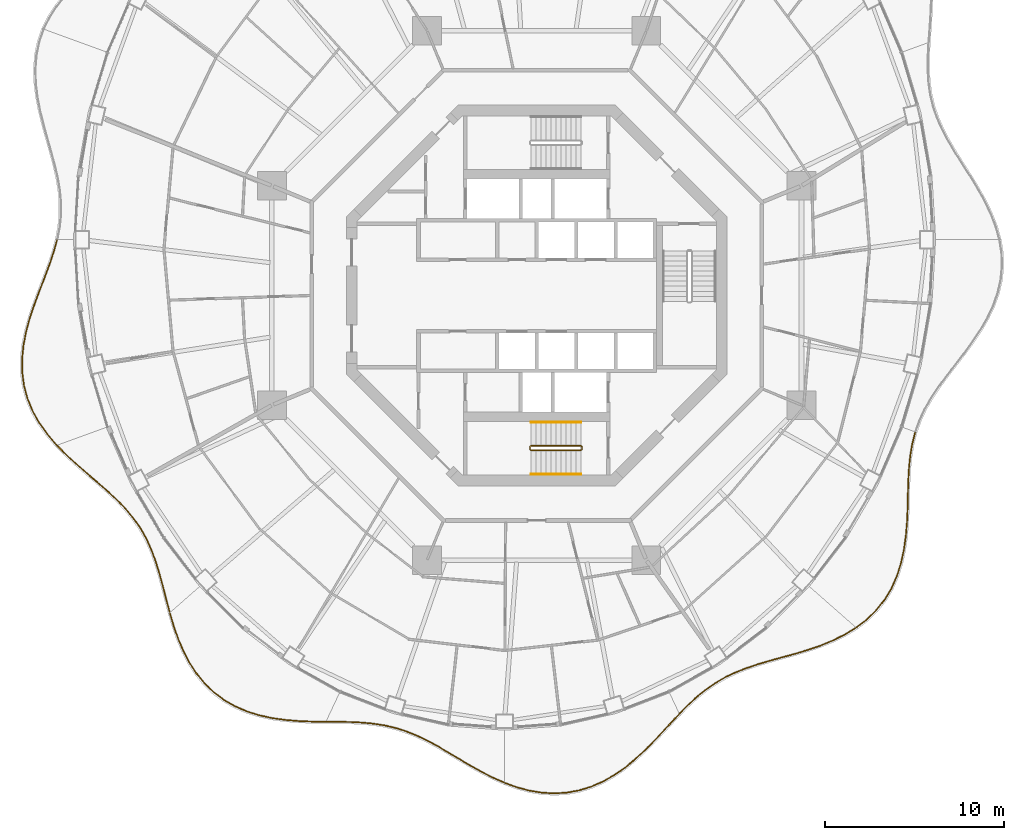
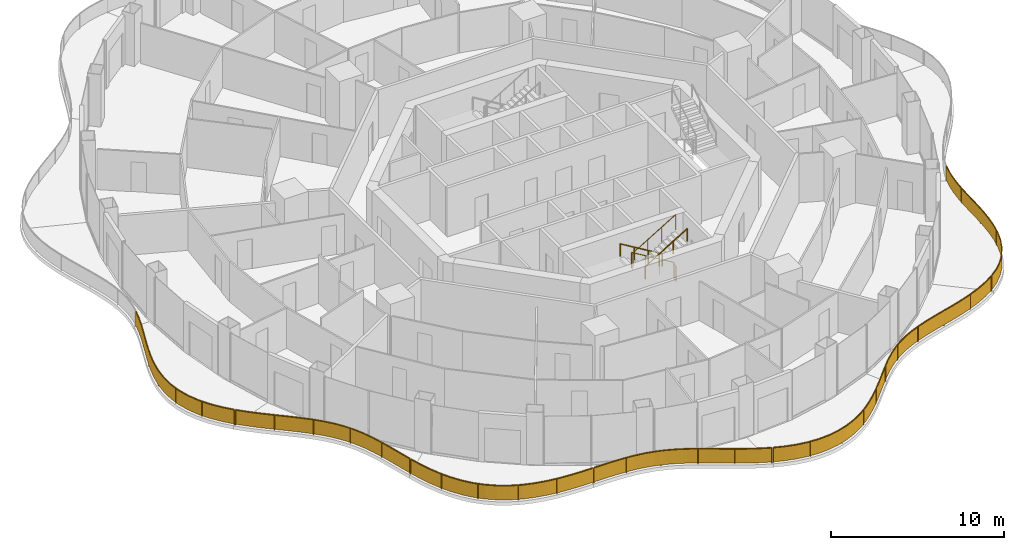
# One storey, part 16 of 18: 10 railings.
"""IFC4 building model written with IfcOpenShell, lengths in metres."""

from ifc_helpers import new_model, si_unit, direction, frame, origin, origin_2d, place, context, subcontext, project, spatial, polyline, rectangle, circle, outline, extrude, material, type_object, element, save


model = new_model("IFC4")

# Units and contexts
model_context = context("Model", 3, precision=1e-05, world=origin(), true_north=direction((0.0, 1.0)))
body_context = subcontext(model_context, "Body", "Model", "MODEL_VIEW")
ifc_project = project(units=[si_unit("LENGTHUNIT", "METRE"), si_unit("AREAUNIT", "SQUARE_METRE"), si_unit("VOLUMEUNIT", "CUBIC_METRE"), si_unit("PLANEANGLEUNIT", "RADIAN"), si_unit("MASSUNIT", "GRAM", prefix="KILO")], contexts=[model_context])

# Site, building, storey
site_placement = place(None, origin())
site = spatial("IfcSite", under=ifc_project, at=site_placement, CompositionType="ELEMENT")
building_placement = place(site_placement, origin())
building = spatial("IfcBuilding", under=site, at=building_placement, Name="Nagisa Residences", CompositionType="ELEMENT")
storey_placement = place(building_placement, frame((0.0, 0.0, 219.60009765625)))
storey = spatial("IfcBuildingStorey", under=building, at=storey_placement, Name="L55", CompositionType="ELEMENT", Elevation=219.60009765625)

# Railings
ifc_material_1 = material(Name="Stainless steel 316", Category="steel")
railing_type_1 = type_object("IfcRailingType", Name="BALCONY GUARD 1100", PredefinedType="BALUSTRADE", material=ifc_material_1)
railing_1_placement = place(storey_placement, frame((-26.786376953125, 3.08349609375, 0.0)))
element("IfcRailing", 1, at=railing_1_placement, inside=storey, type_object=railing_type_1, Name="guard:L55:bal08-0", PredefinedType="BALUSTRADE", context=body_context, shape_type="SweptSolid", body=[
    extrude(outline(polyline([(-0.156982421875, -0.660888671875), (0.024169921875, -0.006591796875), (-0.024169921875, 0.006591796875), (-0.204833984375, -0.646240234375), (-0.442138671875, -1.3505859375), (-0.710693359375, -2.0693359375), (-0.99365234375, -2.80322265625), (-1.2724609375, -3.5517578125), (-1.52880859375, -4.300048828125), (-1.74072265625, -5.071533203125), (-1.892822265625, -5.847412109375), (-1.97021484375, -6.621826171875), (-1.96142578125, -7.38818359375), (-1.863037109375, -8.126220703125), (-1.66552734375, -8.856201171875), (-1.374267578125, -9.559326171875), (-0.995849609375, -10.23095703125), (-0.54052734375, -10.869384765625), (-0.05078125, -11.437744140625), (-0.0126953125, -11.405029296875), (-0.5009765625, -10.838623046875), (-0.953369140625, -10.2041015625), (-1.329345703125, -9.537353515625), (-1.6181640625, -8.840087890625), (-1.813720703125, -8.116455078125), (-1.91162109375, -7.384765625), (-1.919921875, -6.624267578125), (-1.843017578125, -5.854736328125), (-1.69189453125, -5.082763671875), (-1.48095703125, -4.314697265625), (-1.22509765625, -3.56884765625), (-0.94677734375, -2.82080078125), (-0.663818359375, -2.0869140625), (-0.394775390625, -1.3671875), (-0.156982421875, -0.660888671875)])), frame((0.0, 0.0, 1.050048828125)), (0.0, 0.0, 1.0), 0.050048828125),
    extrude(outline(polyline([(-0.17431640625, -0.655517578125), (0.0068359375, -0.001953125), (-0.0068359375, 0.001953125), (-0.1875, -0.651611328125), (-0.425048828125, -1.3564453125), (-0.69384765625, -2.07568359375), (-0.976806640625, -2.8095703125), (-1.25537109375, -3.557861328125), (-1.511474609375, -4.305419921875), (-1.72314453125, -5.075439453125), (-1.874755859375, -5.85009765625), (-1.9521484375, -6.622802734375), (-1.943603515625, -7.386962890625), (-1.84521484375, -8.122802734375), (-1.6484375, -8.850341796875), (-1.358154296875, -9.551513671875), (-0.98046875, -10.22119140625), (-0.5263671875, -10.8583984375), (-0.037109375, -11.426025390625), (-0.0263671875, -11.416748046875), (-0.51513671875, -10.849609375), (-0.96875, -10.2138671875), (-1.345458984375, -9.545166015625), (-1.63525390625, -8.845947265625), (-1.83154296875, -8.119873046875), (-1.929443359375, -7.385986328125), (-1.93798828125, -6.623291015625), (-1.861083984375, -5.85205078125), (-1.70947265625, -5.078857421875), (-1.498291015625, -4.309326171875), (-1.2421875, -3.562744140625), (-0.963623046875, -2.814453125), (-0.6806640625, -2.08056640625), (-0.411865234375, -1.361328125), (-0.17431640625, -0.655517578125)])), frame((0.0, 0.0, 0.06005859375)), (0.0, 0.0, 1.0), 0.989990234375),
    extrude(rectangle(XDim=0.0400390625, YDim=0.0400390625, at=origin_2d()), origin(), (0.0, 0.0, 1.0), 1.050048828125),
    extrude(rectangle(XDim=0.0400390625, YDim=0.0400390625, at=origin_2d()), frame((-0.634765625, -1.937744140625, 0.0)), (0.0, 0.0, 1.0), 1.050048828125),
    extrude(rectangle(XDim=0.0400390625, YDim=0.0400390625, at=origin_2d()), frame((-1.347900390625, -3.849365234375, 0.0)), (0.0, 0.0, 1.0), 1.050048828125),
    extrude(rectangle(XDim=0.0400390625, YDim=0.0400390625, at=origin_2d()), frame((-1.862060546875, -5.82080078125, 0.0)), (0.0, 0.0, 1.0), 1.050048828125),
    extrude(rectangle(XDim=0.0400390625, YDim=0.0400390625, at=origin_2d()), frame((-1.874267578125, -7.852783203125, 0.0)), (0.0, 0.0, 1.0), 1.050048828125),
    extrude(rectangle(XDim=0.0400390625, YDim=0.0400390625, at=origin_2d()), frame((-1.224853515625, -9.773681640625, 0.0)), (0.0, 0.0, 1.0), 1.050048828125),
    extrude(rectangle(XDim=0.0400390625, YDim=0.0400390625, at=origin_2d()), frame((-0.03173828125, -11.42138671875, 0.0)), (0.0, 0.0, 1.0), 1.050048828125),
])
railing_2_placement = place(storey_placement, frame((-26.764892578125, -8.39404296875, 0.0)))
element("IfcRailing", 2, at=railing_2_placement, inside=storey, type_object=railing_type_1, Name="guard:L55:bal09-0", PredefinedType="BALUSTRADE", context=body_context, shape_type="SweptSolid", body=[
    extrude(outline(polyline([(0.53271484375, -0.50244140625), (0.017822265625, 0.017578125), (-0.017822265625, -0.017578125), (0.498046875, -0.53857421875), (1.072509765625, -1.06787109375), (1.657470703125, -1.57666015625), (2.237060546875, -2.071533203125), (2.796630859375, -2.56005859375), (3.316162109375, -3.038330078125), (3.799560546875, -3.540771484375), (4.23291015625, -4.0625), (4.6142578125, -4.6103515625), (4.94384765625, -5.189697265625), (5.21728515625, -5.791748046875), (5.459228515625, -6.442626953125), (5.671630859375, -7.128173828125), (5.8662109375, -7.843505859375), (6.05712890625, -8.581787109375), (6.244140625, -9.290283203125), (6.29248046875, -9.277587890625), (6.10546875, -8.569091796875), (5.91455078125, -7.830810546875), (5.719482421875, -7.114013671875), (5.506591796875, -6.426513671875), (5.263671875, -5.772705078125), (4.98828125, -5.166748046875), (4.65673828125, -4.58349609375), (4.27294921875, -4.0322265625), (3.836669921875, -3.507568359375), (3.351318359375, -3.002685546875), (2.829833984375, -2.52294921875), (2.269775390625, -2.033447265625), (1.690185546875, -1.53857421875), (1.105712890625, -1.03076171875), (0.53271484375, -0.50244140625)])), frame((0.0, 0.0, 1.050048828125)), (0.0, 0.0, 1.0), 0.050048828125),
    extrude(outline(polyline([(0.520263671875, -0.515380859375), (0.0048828125, 0.0048828125), (-0.0048828125, -0.0048828125), (0.510498046875, -0.525634765625), (1.08447265625, -1.054443359375), (1.669189453125, -1.56298828125), (2.248779296875, -2.057861328125), (2.80859375, -2.546630859375), (3.328857421875, -3.025634765625), (3.81298828125, -3.52880859375), (4.247314453125, -4.051513671875), (4.629638671875, -4.6005859375), (4.959716796875, -5.181396484375), (5.23388671875, -5.784912109375), (5.476318359375, -6.436767578125), (5.688720703125, -7.123046875), (5.883544921875, -7.8388671875), (6.074462890625, -8.5771484375), (6.261474609375, -9.28564453125), (6.275146484375, -9.2822265625), (6.088134765625, -8.57373046875), (5.897216796875, -7.83544921875), (5.702392578125, -7.119140625), (5.489501953125, -6.432373046875), (5.2470703125, -5.779541015625), (4.972412109375, -5.175048828125), (4.641357421875, -4.59326171875), (4.258544921875, -4.043212890625), (3.8232421875, -3.51953125), (3.338623046875, -3.015380859375), (2.81787109375, -2.536376953125), (2.258056640625, -2.047119140625), (1.678466796875, -1.55224609375), (1.09375, -1.044189453125), (0.520263671875, -0.515380859375)])), frame((0.0, 0.0, 0.06005859375)), (0.0, 0.0, 1.0), 0.989990234375),
    extrude(rectangle(XDim=0.0400390625, YDim=0.0400390625, at=origin_2d()), origin(), (0.0, 0.0, 1.0), 1.050048828125),
    extrude(rectangle(XDim=0.0400390625, YDim=0.0400390625, at=origin_2d()), frame((1.6884765625, -1.570068359375, 0.0)), (0.0, 0.0, 1.0), 1.050048828125),
    extrude(rectangle(XDim=0.0400390625, YDim=0.0400390625, at=origin_2d()), frame((3.412109375, -3.101806640625, 0.0)), (0.0, 0.0, 1.0), 1.050048828125),
    extrude(rectangle(XDim=0.0400390625, YDim=0.0400390625, at=origin_2d()), frame((4.81884765625, -4.91943359375, 0.0)), (0.0, 0.0, 1.0), 1.050048828125),
    extrude(rectangle(XDim=0.0400390625, YDim=0.0400390625, at=origin_2d()), frame((5.675048828125, -7.054931640625, 0.0)), (0.0, 0.0, 1.0), 1.050048828125),
    extrude(rectangle(XDim=0.0400390625, YDim=0.0400390625, at=origin_2d()), frame((6.268310546875, -9.283935546875, 0.0)), (0.0, 0.0, 1.0), 1.050048828125),
])
railing_3_placement = place(storey_placement, frame((-20.477294921875, -17.752197265625, 0.0)))
element("IfcRailing", 3, at=railing_3_placement, inside=storey, type_object=railing_type_1, Name="guard:L55:bal10-0", PredefinedType="BALUSTRADE", context=body_context, shape_type="SweptSolid", body=[
    extrude(outline(polyline([(0.22265625, -0.66796875), (0.02392578125, 0.007080078125), (-0.02392578125, -0.007080078125), (0.1748046875, -0.68310546875), (0.422607421875, -1.393310546875), (0.713623046875, -2.0830078125), (1.055419921875, -2.74072265625), (1.45361328125, -3.354736328125), (1.8984375, -3.90576171875), (2.4150390625, -4.406005859375), (2.988037109375, -4.839111328125), (3.61328125, -5.201904296875), (4.282958984375, -5.493408203125), (4.97705078125, -5.708740234375), (5.707763671875, -5.868408203125), (6.45751953125, -5.97412109375), (7.21435546875, -6.03564453125), (7.96875, -6.06494140625), (8.668212890625, -6.072265625), (8.668701171875, -6.0224609375), (7.97021484375, -6.01513671875), (7.21728515625, -5.98583984375), (6.462890625, -5.92431640625), (5.716552734375, -5.819091796875), (4.98974609375, -5.660400390625), (4.300537109375, -5.446533203125), (3.6357421875, -5.156982421875), (3.015869140625, -4.797119140625), (2.44775390625, -4.367919921875), (1.935546875, -3.8720703125), (1.494140625, -3.325439453125), (1.098876953125, -2.71533203125), (0.759033203125, -2.0615234375), (0.469482421875, -1.375244140625), (0.22265625, -0.66796875)])), frame((0.0, 0.0, 1.050048828125)), (0.0, 0.0, 1.0), 0.050048828125),
    extrude(outline(polyline([(0.205322265625, -0.67333984375), (0.0068359375, 0.001953125), (-0.0068359375, -0.001953125), (0.192138671875, -0.677734375), (0.439453125, -1.38671875), (0.72998046875, -2.0751953125), (1.071044921875, -2.7314453125), (1.46826171875, -3.34423828125), (1.911865234375, -3.8935546875), (2.4267578125, -4.392333984375), (2.998046875, -4.823974609375), (3.621337890625, -5.185791015625), (4.289306640625, -5.4765625), (4.981689453125, -5.69140625), (5.7109375, -5.8505859375), (6.45947265625, -5.956298828125), (7.21533203125, -6.017822265625), (7.96923828125, -6.047119140625), (8.66845703125, -6.054443359375), (8.66845703125, -6.040283203125), (7.9697265625, -6.032958984375), (7.21630859375, -6.003662109375), (6.4609375, -5.942138671875), (5.71337890625, -5.8369140625), (4.985107421875, -5.677734375), (4.294189453125, -5.46337890625), (3.627685546875, -5.173095703125), (3.005859375, -4.812255859375), (2.43603515625, -4.381591796875), (1.922119140625, -3.88427734375), (1.4794921875, -3.3359375), (1.083251953125, -2.724609375), (0.74267578125, -2.0693359375), (0.45263671875, -1.3818359375), (0.205322265625, -0.67333984375)])), frame((0.0, 0.0, 0.06005859375)), (0.0, 0.0, 1.0), 0.989990234375),
    extrude(rectangle(XDim=0.0400390625, YDim=0.0400390625, at=origin_2d()), origin(), (0.0, 0.0, 1.0), 1.050048828125),
    extrude(rectangle(XDim=0.0400390625, YDim=0.0400390625, at=origin_2d()), frame((0.79931640625, -2.193603515625, 0.0)), (0.0, 0.0, 1.0), 1.050048828125),
    extrude(rectangle(XDim=0.0400390625, YDim=0.0400390625, at=origin_2d()), frame((2.13330078125, -4.098388671875, 0.0)), (0.0, 0.0, 1.0), 1.050048828125),
    extrude(rectangle(XDim=0.0400390625, YDim=0.0400390625, at=origin_2d()), frame((4.072265625, -5.374267578125, 0.0)), (0.0, 0.0, 1.0), 1.050048828125),
    extrude(rectangle(XDim=0.0400390625, YDim=0.0400390625, at=origin_2d()), frame((6.334716796875, -5.931396484375, 0.0)), (0.0, 0.0, 1.0), 1.050048828125),
    extrude(rectangle(XDim=0.0400390625, YDim=0.0400390625, at=origin_2d()), frame((8.66845703125, -6.04736328125, 0.0)), (0.0, 0.0, 1.0), 1.050048828125),
])
railing_4_placement = place(storey_placement, frame((-11.733154296875, -23.798583984375, 0.0)))
element("IfcRailing", 4, at=railing_4_placement, inside=storey, type_object=railing_type_1, Name="guard:L55:bal11-0", PredefinedType="BALUSTRADE", context=body_context, shape_type="SweptSolid", body=[
    extrude(outline(polyline([(0.656982421875, 0.02197265625), (0.0, 0.02490234375), (0.0, -0.02490234375), (0.656494140625, -0.02783203125), (1.33935546875, -0.041259765625), (2.00146484375, -0.073974609375), (2.64111328125, -0.1357421875), (3.260498046875, -0.234375), (3.845458984375, -0.370361328125), (4.433837890625, -0.55712890625), (5.014404296875, -0.78955078125), (5.59228515625, -1.06494140625), (6.173095703125, -1.37744140625), (6.744873046875, -1.716064453125), (7.34716796875, -2.07568359375), (7.965576171875, -2.44091796875), (8.6025390625, -2.7978515625), (9.258544921875, -3.132568359375), (9.8876953125, -3.414794921875), (9.908203125, -3.368896484375), (9.280029296875, -3.087646484375), (8.6259765625, -2.75390625), (7.990478515625, -2.3974609375), (7.37255859375, -2.03271484375), (6.770263671875, -1.673095703125), (6.197509765625, -1.333984375), (5.61474609375, -1.0205078125), (5.034423828125, -0.74365234375), (4.450927734375, -0.509765625), (3.858642578125, -0.322021484375), (3.270263671875, -0.18505859375), (2.6474609375, -0.0859375), (2.0048828125, -0.024169921875), (1.34130859375, 0.008544921875), (0.656982421875, 0.02197265625)])), frame((0.0, 0.0, 1.050048828125)), (0.0, 0.0, 1.0), 0.050048828125),
    extrude(outline(polyline([(0.65673828125, 0.004150390625), (0.0, 0.007080078125), (0.0, -0.007080078125), (0.65673828125, -0.010009765625), (1.340087890625, -0.0234375), (2.002685546875, -0.05615234375), (2.643310546875, -0.11767578125), (3.263916015625, -0.216552734375), (3.85009765625, -0.35302734375), (4.43994140625, -0.5400390625), (5.021484375, -0.77294921875), (5.600341796875, -1.049072265625), (6.181884765625, -1.36181640625), (6.75390625, -1.70068359375), (7.356201171875, -2.060302734375), (7.974609375, -2.42529296875), (8.61083984375, -2.781982421875), (9.266357421875, -3.116455078125), (9.89501953125, -3.398193359375), (9.90087890625, -3.385498046875), (9.272216796875, -3.103759765625), (8.61767578125, -2.769775390625), (7.9814453125, -2.4130859375), (7.363525390625, -2.048095703125), (6.76123046875, -1.6884765625), (6.188720703125, -1.349609375), (5.606689453125, -1.036376953125), (5.02734375, -0.76025390625), (4.44482421875, -0.52685546875), (3.85400390625, -0.33935546875), (3.266845703125, -0.202880859375), (2.645263671875, -0.10400390625), (2.003662109375, -0.0419921875), (1.340576171875, -0.00927734375), (0.65673828125, 0.004150390625)])), frame((0.0, 0.0, 0.06005859375)), (0.0, 0.0, 1.0), 0.989990234375),
    extrude(rectangle(XDim=0.0400390625, YDim=0.0400390625, at=origin_2d()), origin(), (0.0, 0.0, 1.0), 1.050048828125),
    extrude(rectangle(XDim=0.0400390625, YDim=0.0400390625, at=origin_2d()), frame((2.131591796875, -0.0615234375, 0.0)), (0.0, 0.0, 1.0), 1.050048828125),
    extrude(rectangle(XDim=0.0400390625, YDim=0.0400390625, at=origin_2d()), frame((4.220947265625, -0.463134765625, 0.0)), (0.0, 0.0, 1.0), 1.050048828125),
    extrude(rectangle(XDim=0.0400390625, YDim=0.0400390625, at=origin_2d()), frame((6.160400390625, -1.34228515625, 0.0)), (0.0, 0.0, 1.0), 1.050048828125),
    extrude(rectangle(XDim=0.0400390625, YDim=0.0400390625, at=origin_2d()), frame((7.995849609375, -2.42919921875, 0.0)), (0.0, 0.0, 1.0), 1.050048828125),
    extrude(rectangle(XDim=0.0400390625, YDim=0.0400390625, at=origin_2d()), frame((9.89794921875, -3.391845703125, 0.0)), (0.0, 0.0, 1.0), 1.050048828125),
])
railing_5_placement = place(storey_placement, frame((-1.763916015625, -27.22021484375, 0.0)))
element("IfcRailing", 5, at=railing_5_placement, inside=storey, type_object=railing_type_1, Name="guard:L55:bal12-0", PredefinedType="BALUSTRADE", context=body_context, shape_type="SweptSolid", body=[
    extrude(outline(polyline([(0.650634765625, -0.211181640625), (0.008544921875, 0.0234375), (-0.008544921875, -0.0234375), (0.635498046875, -0.259033203125), (1.337646484375, -0.447021484375), (2.046630859375, -0.564208984375), (2.7568359375, -0.60302734375), (3.45947265625, -0.5595703125), (4.138427734375, -0.434814453125), (4.81494140625, -0.225341796875), (5.46923828125, 0.060791015625), (6.097412109375, 0.416259765625), (6.697021484375, 0.831298828125), (7.250244140625, 1.28857421875), (7.792236328125, 1.78515625), (8.30859375, 2.302978515625), (8.803466796875, 2.82763671875), (9.28271484375, 3.346923828125), (9.720458984375, 3.817626953125), (9.683837890625, 3.851806640625), (9.24609375, 3.381103515625), (8.766845703125, 2.86181640625), (8.2724609375, 2.337646484375), (7.757568359375, 1.8212890625), (7.217529296875, 1.326171875), (6.666748046875, 0.871337890625), (6.070556640625, 0.458740234375), (5.44677734375, 0.105712890625), (4.79736328125, -0.178466796875), (4.126220703125, -0.385986328125), (3.45361328125, -0.509765625), (2.7568359375, -0.552734375), (2.052001953125, -0.514404296875), (1.348388671875, -0.398193359375), (0.650634765625, -0.211181640625)])), frame((0.0, 0.0, 1.050048828125)), (0.0, 0.0, 1.0), 0.050048828125),
    extrude(outline(polyline([(0.645263671875, -0.228515625), (0.00244140625, 0.006591796875), (-0.00244140625, -0.006591796875), (0.640869140625, -0.24169921875), (1.341552734375, -0.429443359375), (2.048583984375, -0.54638671875), (2.7568359375, -0.5849609375), (3.457275390625, -0.541748046875), (4.134033203125, -0.417236328125), (4.80859375, -0.20849609375), (5.461181640625, 0.076904296875), (6.087646484375, 0.431640625), (6.68603515625, 0.845703125), (7.238525390625, 1.302001953125), (7.77978515625, 1.798095703125), (8.295654296875, 2.3154296875), (8.790283203125, 2.83984375), (9.26953125, 3.359375), (9.707275390625, 3.829833984375), (9.697021484375, 3.839599609375), (9.25927734375, 3.36865234375), (8.780029296875, 2.849609375), (8.285400390625, 2.3251953125), (7.77001953125, 1.808349609375), (7.229248046875, 1.312744140625), (6.677734375, 0.85693359375), (6.080322265625, 0.443359375), (5.454833984375, 0.089599609375), (4.8037109375, -0.1953125), (4.130615234375, -0.403564453125), (3.455810546875, -0.527587890625), (2.7568359375, -0.57080078125), (2.050048828125, -0.5322265625), (1.344482421875, -0.415771484375), (0.645263671875, -0.228515625)])), frame((0.0, 0.0, 0.06005859375)), (0.0, 0.0, 1.0), 0.989990234375),
    extrude(rectangle(XDim=0.0400390625, YDim=0.0400390625, at=origin_2d()), origin(), (0.0, 0.0, 1.0), 1.050048828125),
    extrude(rectangle(XDim=0.0400390625, YDim=0.0400390625, at=origin_2d()), frame((2.19091796875, -0.547119140625, 0.0)), (0.0, 0.0, 1.0), 1.050048828125),
    extrude(rectangle(XDim=0.0400390625, YDim=0.0400390625, at=origin_2d()), frame((4.4306640625, -0.318115234375, 0.0)), (0.0, 0.0, 1.0), 1.050048828125),
    extrude(rectangle(XDim=0.0400390625, YDim=0.0400390625, at=origin_2d()), frame((6.448486328125, 0.689697265625, 0.0)), (0.0, 0.0, 1.0), 1.050048828125),
    extrude(rectangle(XDim=0.0400390625, YDim=0.0400390625, at=origin_2d()), frame((8.151611328125, 2.180908203125, 0.0)), (0.0, 0.0, 1.0), 1.050048828125),
    extrude(rectangle(XDim=0.0400390625, YDim=0.0400390625, at=origin_2d()), frame((9.7021484375, 3.834716796875, 0.0)), (0.0, 0.0, 1.0), 1.050048828125),
])
railing_6_placement = place(storey_placement, frame((7.988037109375, -23.33056640625, 0.0)))
element("IfcRailing", 6, at=railing_6_placement, inside=storey, type_object=railing_type_1, Name="guard:L55:bal13-0", PredefinedType="BALUSTRADE", context=body_context, shape_type="SweptSolid", body=[
    extrude(outline(polyline([(0.43603515625, 0.4794921875), (-0.017822265625, 0.017578125), (0.017822265625, -0.017578125), (0.470703125, 0.443359375), (0.962158203125, 0.89697265625), (1.4677734375, 1.307861328125), (1.993896484375, 1.67236328125), (2.546875, 1.9921875), (3.1162109375, 2.26123046875), (3.731689453125, 2.504150390625), (4.378662109375, 2.719970703125), (5.0537109375, 2.919189453125), (5.751220703125, 3.113037109375), (6.45166015625, 3.302490234375), (7.16943359375, 3.52099609375), (7.881103515625, 3.767822265625), (8.575439453125, 4.053466796875), (9.24072265625, 4.385009765625), (9.8251953125, 4.74267578125), (9.79931640625, 4.78515625), (9.21630859375, 4.428955078125), (8.554931640625, 4.098876953125), (7.863525390625, 3.814697265625), (7.15380859375, 3.568359375), (6.43798828125, 3.350830078125), (5.738037109375, 3.161376953125), (5.0400390625, 2.967529296875), (4.363525390625, 2.767822265625), (3.714599609375, 2.551025390625), (3.09619140625, 2.30712890625), (2.5234375, 2.03662109375), (1.967041015625, 1.71484375), (1.4375, 1.347900390625), (0.929443359375, 0.93505859375), (0.43603515625, 0.4794921875)])), frame((0.0, 0.0, 1.050048828125)), (0.0, 0.0, 1.0), 0.050048828125),
    extrude(outline(polyline([(0.448486328125, 0.466552734375), (-0.0048828125, 0.0048828125), (0.0048828125, -0.0048828125), (0.458251953125, 0.456298828125), (0.950439453125, 0.91064453125), (1.456787109375, 1.322265625), (1.984130859375, 1.687744140625), (2.538330078125, 2.00830078125), (3.10888671875, 2.27783203125), (3.7255859375, 2.52099609375), (4.373291015625, 2.7373046875), (5.048828125, 2.9365234375), (5.74658203125, 3.13037109375), (6.44677734375, 3.31982421875), (7.163818359375, 3.5380859375), (7.874755859375, 3.78466796875), (8.568115234375, 4.06982421875), (9.23193359375, 4.40087890625), (9.81591796875, 4.758056640625), (9.80859375, 4.769775390625), (9.22509765625, 4.4130859375), (8.562255859375, 4.08251953125), (7.869873046875, 3.7978515625), (7.159423828125, 3.55126953125), (6.44287109375, 3.33349609375), (5.74267578125, 3.14404296875), (5.044921875, 2.9501953125), (4.368896484375, 2.75048828125), (3.720703125, 2.5341796875), (3.103515625, 2.29052734375), (2.531982421875, 2.0205078125), (1.976806640625, 1.699462890625), (1.448486328125, 1.33349609375), (0.941162109375, 0.92138671875), (0.448486328125, 0.466552734375)])), frame((0.0, 0.0, 0.06005859375)), (0.0, 0.0, 1.0), 0.989990234375),
    extrude(rectangle(XDim=0.0400390625, YDim=0.0400390625, at=origin_2d()), origin(), (0.0, 0.0, 1.0), 1.050048828125),
    extrude(rectangle(XDim=0.0400390625, YDim=0.0400390625, at=origin_2d()), frame((1.651611328125, 1.4658203125, 0.0)), (0.0, 0.0, 1.0), 1.050048828125),
    extrude(rectangle(XDim=0.0400390625, YDim=0.0400390625, at=origin_2d()), frame((3.6083984375, 2.482421875, 0.0)), (0.0, 0.0, 1.0), 1.050048828125),
    extrude(rectangle(XDim=0.0400390625, YDim=0.0400390625, at=origin_2d()), frame((5.722412109375, 3.131103515625, 0.0)), (0.0, 0.0, 1.0), 1.050048828125),
    extrude(rectangle(XDim=0.0400390625, YDim=0.0400390625, at=origin_2d()), frame((7.836669921875, 3.77880859375, 0.0)), (0.0, 0.0, 1.0), 1.050048828125),
    extrude(rectangle(XDim=0.0400390625, YDim=0.0400390625, at=origin_2d()), frame((9.812255859375, 4.763916015625, 0.0)), (0.0, 0.0, 1.0), 1.050048828125),
])
railing_7_placement = place(storey_placement, frame((17.864501953125, -18.523193359375, 0.0)))
element("IfcRailing", 7, at=railing_7_placement, inside=storey, type_object=railing_type_1, Name="guard:L55:bal14-0", PredefinedType="BALUSTRADE", context=body_context, shape_type="SweptSolid", body=[
    extrude(outline(polyline([(0.5458984375, 0.4501953125), (-0.01513671875, 0.019775390625), (0.01513671875, -0.019775390625), (0.57861328125, 0.412109375), (1.113037109375, 0.936279296875), (1.57470703125, 1.520263671875), (1.95947265625, 2.1591796875), (2.26611328125, 2.84521484375), (2.4921875, 3.5595703125), (2.65869140625, 4.314697265625), (2.76806640625, 5.088134765625), (2.832763671875, 5.869140625), (2.867431640625, 6.6484375), (2.88134765625, 7.404052734375), (2.90380859375, 8.154296875), (2.943603515625, 8.8818359375), (3.0146484375, 9.5830078125), (3.12841796875, 10.257568359375), (3.283447265625, 10.866943359375), (3.235107421875, 10.879150390625), (3.07958984375, 10.267822265625), (2.96484375, 9.58984375), (2.893798828125, 8.8857421875), (2.85400390625, 8.15625), (2.83154296875, 7.405029296875), (2.817626953125, 6.64990234375), (2.782958984375, 5.87255859375), (2.71826171875, 5.093505859375), (2.609375, 4.323486328125), (2.44384765625, 3.57275390625), (2.21923828125, 2.86279296875), (1.9150390625, 2.1826171875), (1.53369140625, 1.548583984375), (1.075927734375, 0.969970703125), (0.5458984375, 0.4501953125)])), frame((0.0, 0.0, 1.050048828125)), (0.0, 0.0, 1.0), 0.050048828125),
    extrude(outline(polyline([(0.5576171875, 0.4365234375), (-0.004150390625, 0.005615234375), (0.004150390625, -0.005615234375), (0.56689453125, 0.42578125), (1.099609375, 0.948486328125), (1.56005859375, 1.530517578125), (1.943359375, 2.167724609375), (2.249267578125, 2.8515625), (2.474853515625, 3.564453125), (2.640869140625, 4.31787109375), (2.750244140625, 5.090087890625), (2.81494140625, 5.870361328125), (2.849609375, 6.64892578125), (2.863525390625, 7.404296875), (2.885986328125, 8.155029296875), (2.92578125, 8.88330078125), (2.99658203125, 9.58544921875), (3.11083984375, 10.26123046875), (3.26611328125, 10.871337890625), (3.25244140625, 10.874755859375), (3.09716796875, 10.26416015625), (2.98291015625, 9.58740234375), (2.91162109375, 8.88427734375), (2.871826171875, 8.155517578125), (2.849365234375, 7.40478515625), (2.83544921875, 6.6494140625), (2.80078125, 5.871337890625), (2.736083984375, 5.091552734375), (2.627197265625, 4.3203125), (2.461181640625, 3.56787109375), (2.236083984375, 2.8564453125), (1.93115234375, 2.174072265625), (1.54833984375, 1.538330078125), (1.08935546875, 0.957763671875), (0.5576171875, 0.4365234375)])), frame((0.0, 0.0, 0.06005859375)), (0.0, 0.0, 1.0), 0.989990234375),
    extrude(rectangle(XDim=0.0400390625, YDim=0.0400390625, at=origin_2d()), origin(), (0.0, 0.0, 1.0), 1.050048828125),
    extrude(rectangle(XDim=0.0400390625, YDim=0.0400390625, at=origin_2d()), frame((1.6396484375, 1.67626953125, 0.0)), (0.0, 0.0, 1.0), 1.050048828125),
    extrude(rectangle(XDim=0.0400390625, YDim=0.0400390625, at=origin_2d()), frame((2.530029296875, 3.84765625, 0.0)), (0.0, 0.0, 1.0), 1.050048828125),
    extrude(rectangle(XDim=0.0400390625, YDim=0.0400390625, at=origin_2d()), frame((2.822021484375, 6.186279296875, 0.0)), (0.0, 0.0, 1.0), 1.050048828125),
    extrude(rectangle(XDim=0.0400390625, YDim=0.0400390625, at=origin_2d()), frame((2.900146484375, 8.54541015625, 0.0)), (0.0, 0.0, 1.0), 1.050048828125),
    extrude(rectangle(XDim=0.0400390625, YDim=0.0400390625, at=origin_2d()), frame((3.25927734375, 10.873046875, 0.0)), (0.0, 0.0, 1.0), 1.050048828125),
])
ifc_material_2 = material(Name="Stainless steel", Category="steel")
railing_type_2 = type_object("IfcRailingType", Name="Stair guard 1100", PredefinedType="GUARDRAIL", material=ifc_material_2)
railing_8_placement = place(storey_placement, frame((2.52490234375, -8.599609375, 0.0)))
element("IfcRailing", 8, at=railing_8_placement, inside=storey, type_object=railing_type_2, Name="L55 ST-S stair guard 1", PredefinedType="GUARDRAIL", context=body_context, shape_type="SweptSolid", body=[
    extrude(circle(Radius=0.02392578125, at=origin_2d()), frame((0.0, 0.0, 1.076171875), z_axis=(0.0, 1.0, 0.0), x_axis=(-1.0, 0.0, 0.0)), (0.0, 0.0, 1.0), 0.14990234375),
    extrude(circle(Radius=0.02392578125, at=origin_2d()), frame((0.0, 0.14990234375, 1.076171875), z_axis=(-0.273343290215, 0.274683208305, 0.921863645432), x_axis=(-0.708833529934, -0.705375805398, 0.0)), (0.0, 0.0, 1.0), 0.18212890625),
    extrude(circle(Radius=0.02392578125, at=origin_2d()), frame((-0.0498046875, 0.199951171875, 1.244140625), z_axis=(-0.857242210791, 0.0, 0.514913383045), x_axis=(0.0, -1.0, 0.0)), (0.0, 0.0, 1.0), 3.266357421875),
    extrude(circle(Radius=0.02392578125, at=origin_2d()), frame((-2.849853515625, 0.199951171875, 2.92578125), z_axis=(-0.707106781187, -0.707106781187, 0.0), x_axis=(0.707106781187, -0.707106781187, 0.0)), (0.0, 0.0, 1.0), 0.07080078125),
    extrude(circle(Radius=0.02392578125, at=origin_2d()), frame((-2.89990234375, 0.14990234375, 2.92578125), z_axis=(0.0, -1.0, 0.0), x_axis=(1.0, 0.0, 0.0)), (0.0, 0.0, 1.0), 0.14990234375),
    extrude(circle(Radius=0.02392578125, at=origin_2d()), frame((-2.89990234375, 0.0, 2.92578125), z_axis=(0.274243871929, -0.274243871929, 0.92172696468), x_axis=(0.707106781187, 0.707106781187, 0.0)), (0.0, 0.0, 1.0), 0.1826171875),
    extrude(circle(Radius=0.02392578125, at=origin_2d()), frame((-2.849853515625, -0.050048828125, 3.09423828125), z_axis=(0.857242210791, 0.0, 0.514913383045), x_axis=(0.0, 1.0, 0.0)), (0.0, 0.0, 1.0), 3.266357421875),
    extrude(circle(Radius=0.02099609375, at=origin_2d()), origin(), (0.0, 0.0, 1.0), 1.052001953125),
    extrude(circle(Radius=0.02099609375, at=origin_2d()), frame((0.0, 0.14990234375, 0.0)), (0.0, 0.0, 1.0), 1.052001953125),
    extrude(circle(Radius=0.02099609375, at=origin_2d()), frame((-0.0498046875, 0.199951171875, 0.16796875)), (0.0, 0.0, 1.0), 1.052001953125),
    extrude(circle(Radius=0.02099609375, at=origin_2d()), frame((-0.983154296875, 0.199951171875, 0.728515625)), (0.0, 0.0, 1.0), 1.052001953125),
    extrude(circle(Radius=0.02099609375, at=origin_2d()), frame((-1.91650390625, 0.199951171875, 1.289306640625)), (0.0, 0.0, 1.0), 1.052001953125),
    extrude(circle(Radius=0.02099609375, at=origin_2d()), frame((-2.849853515625, 0.199951171875, 1.849853515625)), (0.0, 0.0, 1.0), 1.052001953125),
    extrude(circle(Radius=0.02099609375, at=origin_2d()), frame((-2.89990234375, 0.14990234375, 1.849853515625)), (0.0, 0.0, 1.0), 1.052001953125),
    extrude(circle(Radius=0.02099609375, at=origin_2d()), frame((-2.89990234375, 0.0, 1.849853515625)), (0.0, 0.0, 1.0), 1.052001953125),
    extrude(circle(Radius=0.02099609375, at=origin_2d()), frame((-2.849853515625, -0.050048828125, 2.01806640625)), (0.0, 0.0, 1.0), 1.052001953125),
    extrude(circle(Radius=0.02099609375, at=origin_2d()), frame((-1.91650390625, -0.050048828125, 2.57861328125)), (0.0, 0.0, 1.0), 1.052001953125),
    extrude(circle(Radius=0.02099609375, at=origin_2d()), frame((-0.983154296875, -0.050048828125, 3.139404296875)), (0.0, 0.0, 1.0), 1.052001953125),
    extrude(circle(Radius=0.02099609375, at=origin_2d()), frame((-0.0498046875, -0.050048828125, 3.699951171875)), (0.0, 0.0, 1.0), 1.052001953125),
])
ifc_material_3 = material(Name="Stainless steel", Category="steel")
railing_type_3 = type_object("IfcRailingType", Name="Stair handrail 900", PredefinedType="HANDRAIL", material=ifc_material_3)
railing_9_placement = place(storey_placement, frame((2.47509765625, -7.07470703125, 0.16796875)))
element("IfcRailing", 9, at=railing_9_placement, inside=storey, type_object=railing_type_3, Name="L55 ST-S stair handrail 1", PredefinedType="HANDRAIL", context=body_context, shape_type="SweptSolid", body=[
    extrude(circle(Radius=0.02392578125, at=origin_2d()), frame((0.0, 0.0, 0.8759765625), z_axis=(-0.857242210791, 0.0, 0.514913383045), x_axis=(0.0, -1.0, 0.0)), (0.0, 0.0, 1.0), 3.266357421875),
    extrude(circle(Radius=0.02099609375, at=origin_2d()), origin(), (0.0, 0.0, 1.0), 0.851806640625),
    extrude(circle(Radius=0.02099609375, at=origin_2d()), frame((-0.933349609375, 0.0, 0.560546875)), (0.0, 0.0, 1.0), 0.851806640625),
    extrude(circle(Radius=0.02099609375, at=origin_2d()), frame((-1.86669921875, 0.0, 1.121337890625)), (0.0, 0.0, 1.0), 0.851806640625),
    extrude(circle(Radius=0.02099609375, at=origin_2d()), frame((-2.800048828125, 0.0, 1.681884765625)), (0.0, 0.0, 1.0), 0.851806640625),
])
railing_10_placement = place(storey_placement, frame((-0.324951171875, -9.974609375, 2.01806640625)))
element("IfcRailing", 10, at=railing_10_placement, inside=storey, type_object=railing_type_3, Name="L55 ST-S stair handrail 2", PredefinedType="HANDRAIL", context=body_context, shape_type="SweptSolid", body=[
    extrude(circle(Radius=0.02392578125, at=origin_2d()), frame((0.0, 0.0, 0.8759765625), z_axis=(0.857242210791, 0.0, 0.514913383045), x_axis=(0.0, 1.0, 0.0)), (0.0, 0.0, 1.0), 3.266357421875),
    extrude(circle(Radius=0.02099609375, at=origin_2d()), origin(), (0.0, 0.0, 1.0), 0.851806640625),
    extrude(circle(Radius=0.02099609375, at=origin_2d()), frame((0.933349609375, 0.0, 0.560546875)), (0.0, 0.0, 1.0), 0.851806640625),
    extrude(circle(Radius=0.02099609375, at=origin_2d()), frame((1.86669921875, 0.0, 1.121337890625)), (0.0, 0.0, 1.0), 0.851806640625),
    extrude(circle(Radius=0.02099609375, at=origin_2d()), frame((2.800048828125, 0.0, 1.681884765625)), (0.0, 0.0, 1.0), 0.851806640625),
])

save(model, "model.ifc")
